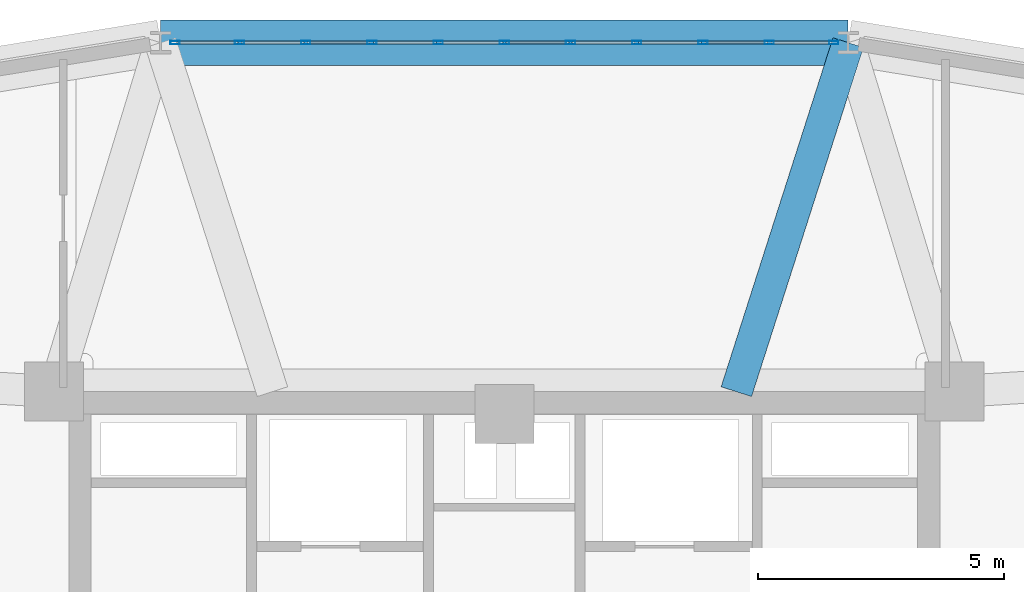
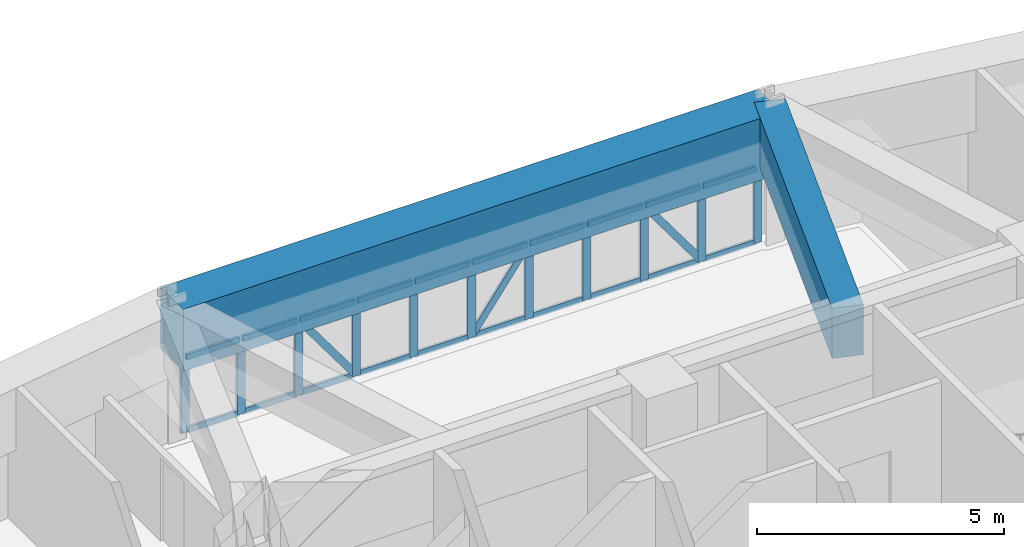
# One storey, part 8 of 15: 34 members, 2 beams, 1 element without a shape of its own.
"""IFC4 building model written with IfcOpenShell, lengths in metres."""

import ifcopenshell
import ifcopenshell.guid

model = None  # the IFC model being written
_history = None  # IfcOwnerHistory: only IFC2X3 demands one
_inside = {}  # id of a spatial element -> (the spatial element, [elements in it])
_under = {}  # id of a project, library or spatial element -> (it, [spatial elements below it])
_declared = {}  # id of a project -> (the project, [libraries it declares])
_typed = {}  # id of a type object -> (the type object, [elements of that type])
_made_of = {}  # id of a material, layer set ... -> (it, [elements and type objects made of it])


def new_model(schema):
    """Start an empty IFC model of exactly this schema.

    Asked for "IFC4X3", IfcOpenShell would pick the latest addendum, in which some entities
    have other attributes; the version numbers below select the first issue.
    IFC2X3 requires an IfcOwnerHistory on every rooted entity: one is made here for all.
    """
    global model, _history
    if schema == "IFC4X3":
        model = ifcopenshell.file(schema_version=(4, 3, 0, 0))
    else:
        model = ifcopenshell.file(schema=schema)
    _inside.clear()
    _under.clear()
    _declared.clear()
    _typed.clear()
    _made_of.clear()
    _history = None
    if model.schema == "IFC2X3":
        org = make("IfcOrganization", Name="unknown")
        user = make(
            "IfcPersonAndOrganization",
            ThePerson=make("IfcPerson", FamilyName="unknown"),
            TheOrganization=org,
        )
        app = make(
            "IfcApplication",
            ApplicationDeveloper=org,
            Version="unknown",
            ApplicationFullName="unknown",
            ApplicationIdentifier="unknown",
        )
        _history = make(
            "IfcOwnerHistory",
            OwningUser=user,
            OwningApplication=app,
            ChangeAction="ADDED",
            CreationDate=0,
        )
    return model


def make(cls, **values):
    """One entity of the class cls with the attributes given. An attribute that is None is left unset."""
    return model.create_entity(
        cls, **{name: value for name, value in values.items() if value is not None}
    )


def rooted(cls, **values):
    """An entity with a GlobalId (a new one), such as an element, a storey or a relation."""
    return make(cls, GlobalId=ifcopenshell.guid.new(), OwnerHistory=_history, **values)


def si_unit(unit_type, name, prefix=None):
    """IfcSIUnit, for example si_unit("LENGTHUNIT", "METRE", prefix="MILLI")."""
    return make("IfcSIUnit", UnitType=unit_type, Prefix=prefix, Name=name)


def derived_unit(unit_type, elements):
    """IfcDerivedUnit: a product of units, each with its exponent."""
    return make(
        "IfcDerivedUnit",
        Elements=[
            make("IfcDerivedUnitElement", Unit=unit, Exponent=power)
            for unit, power in elements
        ],
        UnitType=unit_type,
    )


def assignment(units):
    """IfcUnitAssignment: the units of a project."""
    return None if units is None else make("IfcUnitAssignment", Units=units)


def point(xyz):
    """IfcCartesianPoint."""
    return None if xyz is None else make("IfcCartesianPoint", Coordinates=xyz)


def direction(xyz):
    """IfcDirection."""
    return None if xyz is None else make("IfcDirection", DirectionRatios=xyz)


def frame(location, z_axis=None, x_axis=None):
    """IfcAxis2Placement3D, a coordinate frame: its origin and axes. An axis left out is left unset."""
    return make(
        "IfcAxis2Placement3D",
        Location=point(location),
        Axis=direction(z_axis),
        RefDirection=direction(x_axis),
    )


def frame_2d(location, x_axis=None):
    """IfcAxis2Placement2D, a coordinate frame in the plane: its origin and x axis."""
    return make(
        "IfcAxis2Placement2D", Location=point(location), RefDirection=direction(x_axis)
    )


def origin():
    """The frame at (0, 0, 0) with its axes left unset."""
    return frame((0.0, 0.0, 0.0))


def origin_2d():
    """The frame at (0, 0) in the plane with its x axis left unset."""
    return frame_2d((0.0, 0.0))


def place(relative_to, where):
    """IfcLocalPlacement: puts the frame where relative to a parent placement (None: the world)."""
    return make(
        "IfcLocalPlacement", PlacementRelTo=relative_to, RelativePlacement=where
    )


def context(
    kind, dimensions, precision=None, world=None, true_north=None, identifier=None
):
    """IfcGeometricRepresentationContext, for example the 3D "Model" context."""
    return make(
        "IfcGeometricRepresentationContext",
        ContextIdentifier=identifier,
        ContextType=kind,
        CoordinateSpaceDimension=dimensions,
        Precision=precision,
        WorldCoordinateSystem=world,
        TrueNorth=true_north,
    )


def subcontext(parent, identifier, kind, view, scale=None):
    """IfcGeometricRepresentationSubContext, for example "Body" below "Model"."""
    return make(
        "IfcGeometricRepresentationSubContext",
        ContextIdentifier=identifier,
        ContextType=kind,
        ParentContext=parent,
        TargetScale=scale,
        TargetView=view,
    )


def project(units=None, contexts=None):
    """IfcProject with its units and contexts."""
    return rooted(
        "IfcProject",
        Name="project",
        RepresentationContexts=contexts,
        UnitsInContext=assignment(units),
    )


def spatial(cls, under=None, at=None, **own):
    """A site, building, storey or space (cls), placed at a placement, below another one or the project."""
    s = rooted(cls, ObjectPlacement=at, **own)
    if under is not None:
        _under.setdefault(under.id(), (under, []))[1].append(s)
    return s


def profile(cls, at=None, kind="AREA", **sizes):
    """A parametric profile (cls). Its sizes go by their IFC names, for example OverallWidth=200.0."""
    return make(cls, ProfileType=kind, Position=at, **sizes)


def rectangle(**sizes):
    """IfcRectangleProfileDef."""
    return profile("IfcRectangleProfileDef", **sizes)


def hollow_rectangle(**sizes):
    """IfcRectangleHollowProfileDef."""
    return profile("IfcRectangleHollowProfileDef", **sizes)


def extrude(swept, where, along, depth):
    """IfcExtrudedAreaSolid: the profile swept, set in the frame where, extruded along a direction by depth."""
    return make(
        "IfcExtrudedAreaSolid",
        SweptArea=swept,
        Position=where,
        ExtrudedDirection=direction(along),
        Depth=depth,
    )


def shape(context_of_items, identifier, shape_type, items):
    """IfcShapeRepresentation: the items that make up one representation, for example the "Body"."""
    return make(
        "IfcShapeRepresentation",
        ContextOfItems=context_of_items,
        RepresentationIdentifier=identifier,
        RepresentationType=shape_type,
        Items=items,
    )


def source(mapping_origin, context_of_items, identifier, shape_type, items):
    """IfcRepresentationMap: a shape defined once, which mapped items show again and again."""
    return make(
        "IfcRepresentationMap",
        MappingOrigin=mapping_origin,
        MappedRepresentation=shape(context_of_items, identifier, shape_type, items),
    )


def transform(
    local_origin,
    x_axis=None,
    y_axis=None,
    z_axis=None,
    scale=None,
    scale2=None,
    scale3=None,
    uniform=True,
):
    """IfcCartesianTransformationOperator3D, or its non-uniform kind. x_axis, y_axis, z_axis: its Axis1, 2, 3."""
    if uniform:
        return make(
            "IfcCartesianTransformationOperator3D",
            Axis1=direction(x_axis),
            Axis2=direction(y_axis),
            LocalOrigin=point(local_origin),
            Scale=scale,
            Axis3=direction(z_axis),
        )
    return make(
        "IfcCartesianTransformationOperator3DnonUniform",
        Axis1=direction(x_axis),
        Axis2=direction(y_axis),
        LocalOrigin=point(local_origin),
        Scale=scale,
        Axis3=direction(z_axis),
        Scale2=scale2,
        Scale3=scale3,
    )


def mapped(mapping_source, mapping_target):
    """IfcMappedItem: shows the shape of a source again, moved by a transform."""
    return make(
        "IfcMappedItem", MappingSource=mapping_source, MappingTarget=mapping_target
    )


def material(Name=None, Category=None):
    """IfcMaterial."""
    return make("IfcMaterial", Name=Name, Category=Category)


def layer(
    of_material, thickness, ventilated=None, Name=None, Category=None, Priority=None
):
    """IfcMaterialLayer: one layer of a wall or slab, of a material (None: an air gap)."""
    return make(
        "IfcMaterialLayer",
        Material=of_material,
        LayerThickness=thickness,
        IsVentilated=ventilated,
        Name=Name,
        Category=Category,
        Priority=Priority,
    )


def layer_set(layers, Name=None):
    """IfcMaterialLayerSet."""
    return make("IfcMaterialLayerSet", MaterialLayers=layers, LayerSetName=Name)


def material_profile(
    of_material, cross_section, Name=None, Category=None, Priority=None
):
    """IfcMaterialProfile: a cross section and its material."""
    return make(
        "IfcMaterialProfile",
        Name=Name,
        Material=of_material,
        Profile=cross_section,
        Priority=Priority,
        Category=Category,
    )


def profile_set(profiles, Name=None, composite=None):
    """IfcMaterialProfileSet."""
    return make(
        "IfcMaterialProfileSet",
        Name=Name,
        MaterialProfiles=profiles,
        CompositeProfile=composite,
    )


def made_of(thing, what):
    """Note that an element or type object is made of a material, layer set ...; save() writes the relation."""
    if what is not None:
        _made_of.setdefault(what.id(), (what, []))[1].append(thing)
    return thing


def type_object(cls, material=None, **own):
    """A type object (cls), such as IfcWallType, which elements share."""
    return made_of(rooted(cls, **own), material)


def element(
    cls,
    number,
    at=None,
    inside=None,
    cuts=None,
    type_object=None,
    material=None,
    context=None,
    identifier="Body",
    shape_type=None,
    held_by="IfcProductDefinitionShape",
    body=None,
    shapes=None,
    **own,
):
    """One element of the class cls, such as IfcWall. Its Tag is "e" and its number.

    at: its placement. inside: the storey or other place that contains it. cuts: it is an
    opening in that element (IfcRelVoidsElement). A single representation is given by context,
    identifier, shape_type and body (its items); several are given by shapes. held_by: the class
    of the entity that holds the representations. save() writes the other relations.
    """
    e = rooted(cls, Tag="e%d" % number, ObjectPlacement=at, **own)
    if body is not None:
        shapes = [shape(context, identifier, shape_type, body)]
    if shapes is not None:
        e.Representation = make(held_by, Representations=shapes)
    if inside is not None:
        _inside.setdefault(inside.id(), (inside, []))[1].append(e)
    if cuts is not None:
        rooted(
            "IfcRelVoidsElement", RelatingBuildingElement=cuts, RelatedOpeningElement=e
        )
    if type_object is not None:
        _typed.setdefault(type_object.id(), (type_object, []))[1].append(e)
    return made_of(e, material)


def aggregate(whole, parts):
    """IfcRelAggregates: a whole, such as a stair, and the parts it consists of."""
    return rooted("IfcRelAggregates", RelatingObject=whole, RelatedObjects=parts)


def save(model, path):
    """Write the relations noted so far, then the file.

    IfcRelAggregates (storeys below a building ...), IfcRelContainedInSpatialStructure (elements
    in a storey), IfcRelDefinesByType, IfcRelAssociatesMaterial and IfcRelDeclares: one each for
    every whole, place, type object, material and project.
    """
    for whole, parts in _under.values():
        aggregate(whole, parts)
    for where, things in _inside.values():
        rooted(
            "IfcRelContainedInSpatialStructure",
            RelatedElements=things,
            RelatingStructure=where,
        )
    for kind, things in _typed.values():
        rooted("IfcRelDefinesByType", RelatedObjects=things, RelatingType=kind)
    for what, things in _made_of.values():
        rooted("IfcRelAssociatesMaterial", RelatedObjects=things, RelatingMaterial=what)
    for by, libraries in _declared.values():
        rooted("IfcRelDeclares", RelatingContext=by, RelatedDefinitions=libraries)
    model.write(path)


model = new_model("IFC4")

# Units and contexts
model_context = context("Model", 3, precision=1e-05, world=origin(), true_north=direction((0.0, 1.0)))
body_context = subcontext(model_context, "Body", "Model", "MODEL_VIEW")
ifc_project = project(units=[si_unit("LENGTHUNIT", "METRE"), si_unit("AREAUNIT", "SQUARE_METRE"), si_unit("VOLUMEUNIT", "CUBIC_METRE"), si_unit("PLANEANGLEUNIT", "RADIAN"), si_unit("MASSUNIT", "GRAM", prefix="KILO"), derived_unit("THERMALTRANSMITTANCEUNIT", [(si_unit("POWERUNIT", "WATT"), 1), (si_unit("LENGTHUNIT", "METRE"), -2), (si_unit("THERMODYNAMICTEMPERATUREUNIT", "KELVIN"), -1)])], contexts=[model_context])

# Site, building, storey
site_placement = place(None, origin())
site = spatial("IfcSite", under=ifc_project, at=site_placement, CompositionType="ELEMENT")
building_placement = place(site_placement, origin())
building = spatial("IfcBuilding", under=site, at=building_placement, Name="Korsvarv Bourse and Concert Hall", CompositionType="ELEMENT")
storey_placement = place(building_placement, frame((0.0, 0.0, 117.0)))
storey = spatial("IfcBuildingStorey", under=building, at=storey_placement, Name="L29", CompositionType="ELEMENT", Elevation=117.0)

# Beams
ifc_material_1 = material(Name="Concrete C50/60", Category="concrete")
ifc_material_profile_1 = material_profile(ifc_material_1, rectangle(XDim=0.919921875, YDim=1.530029296875, at=origin_2d()), Name="RC-BM 920x1530")
ifc_profile_set_1 = profile_set([ifc_material_profile_1], Name="Concrete C50/60")
beam_type_1 = type_object("IfcBeamType", Name="BM-TR-154", PredefinedType="BEAM", material=ifc_profile_set_1)
shared_shape_1 = source(origin(), body_context, "Body", "SweptSolid", [
    extrude(rectangle(XDim=0.919921875, YDim=1.530029296875, at=origin_2d()), origin(), (0.0, 0.0, 1.0), 13.97607421875),
])
beam_1_placement = place(storey_placement, frame((42.988037109375, 54.344482421875, 2.635009765625), z_axis=(-1.0, 0.0, 0.0), x_axis=(0.0, -1.0, 0.0)))
element("IfcBeam", 1, at=beam_1_placement, inside=storey, type_object=beam_type_1, Name="L29 beam B-TR6", PredefinedType="BEAM", context=body_context, shape_type="MappedRepresentation", body=[
    mapped(shared_shape_1, transform((0.0, 0.0, 0.0), scale=1.0)),
])
ifc_material_profile_2 = material_profile(ifc_material_1, rectangle(XDim=0.64990234375, YDim=1.239990234375, at=origin_2d()), Name="RC-BM 650x1240")
ifc_profile_set_2 = profile_set([ifc_material_profile_2], Name="Concrete C50/60")
beam_type_2 = type_object("IfcBeamType", Name="BM-TR-SPN", PredefinedType="BEAM", material=ifc_profile_set_2)
shared_shape_2 = source(origin(), body_context, "Body", "SweptSolid", [
    extrude(rectangle(XDim=0.64990234375, YDim=1.239990234375, at=origin_2d()), origin(), (0.0, 0.0, 1.0), 7.449951171875),
])
beam_2_placement = place(storey_placement, frame((42.988037109375, 54.344482421875, 2.780029296875), z_axis=(-0.30516572203, -0.952299260788, 0.0), x_axis=(0.952299260788, -0.30516572203, 0.0)))
element("IfcBeam", 2, at=beam_2_placement, inside=storey, type_object=beam_type_2, Name="L29 beam B-TRS", PredefinedType="BEAM", context=body_context, shape_type="MappedRepresentation", body=[
    mapped(shared_shape_2, transform((0.0, 0.0, 0.0), scale=1.0)),
])

# Curtain wall, members
ifc_material_2 = material(Name="Anodised aluminium and triple low-E glazing", Category="glass")
ifc_layer = layer(ifc_material_2, 0.2099609375)
ifc_layer_set = layer_set([ifc_layer], Name="Anodised aluminium and triple low-E glazing")
curtain_wall_type = type_object("IfcCurtainWallType", Name="CW-SYS-2", PredefinedType="NOTDEFINED", material=ifc_layer_set)
curtain_wall_placement = place(storey_placement, origin())
curtain_wall = element("IfcCurtainWall", 3, at=curtain_wall_placement, inside=storey, type_object=curtain_wall_type, Name="L29 CW2 curtain wall CW-L29-F03", PredefinedType="NOTDEFINED")
ifc_material_3 = material(Name="Extruded aluminium EN AW-6063 T66", Category="aluminium")
ifc_material_profile_3 = material_profile(ifc_material_3, hollow_rectangle(XDim=0.070068359375, YDim=0.18994140625, WallThickness=0.0048828125, at=origin_2d()), Name="ALU-M 70x190")
ifc_profile_set_3 = profile_set([ifc_material_profile_3], Name="Extruded aluminium EN AW-6063 T66")
member_type_1 = type_object("IfcMemberType", Name="CWM-190", PredefinedType="MULLION", material=ifc_profile_set_3)
shared_shape_3 = source(origin(), body_context, "Body", "SweptSolid", [
    extrude(hollow_rectangle(XDim=0.070068359375, YDim=0.18994140625, WallThickness=0.0048828125, at=origin_2d()), origin(), (0.0, 0.0, 1.0), 1.8701171875),
])
member_1_placement = place(storey_placement, frame((42.694091796875, 54.344482421875, 0.0), z_axis=(0.0, 0.0, 1.0), x_axis=(0.0, -1.0, 0.0)))
member_1 = element("IfcMember", 4, at=member_1_placement, type_object=member_type_1, Name="CW2 mullion 1", PredefinedType="MULLION", context=body_context, shape_type="MappedRepresentation", body=[
    mapped(shared_shape_3, transform((0.0, 0.0, 0.0), scale=1.0)),
])
member_2_placement = place(storey_placement, frame((41.38330078125, 54.344482421875, 0.0), z_axis=(0.0, 0.0, 1.0), x_axis=(0.0, -1.0, 0.0)))
member_2 = element("IfcMember", 5, at=member_2_placement, type_object=member_type_1, Name="CW2 mullion 2", PredefinedType="MULLION", context=body_context, shape_type="MappedRepresentation", body=[
    mapped(shared_shape_3, transform((0.0, 0.0, 0.0), scale=1.0)),
])
member_3_placement = place(storey_placement, frame((40.037353515625, 54.344482421875, 0.0), z_axis=(0.0, 0.0, 1.0), x_axis=(0.0, -1.0, 0.0)))
member_3 = element("IfcMember", 6, at=member_3_placement, type_object=member_type_1, Name="CW2 mullion 3", PredefinedType="MULLION", context=body_context, shape_type="MappedRepresentation", body=[
    mapped(shared_shape_3, transform((0.0, 0.0, 0.0), scale=1.0)),
])
member_4_placement = place(storey_placement, frame((38.691650390625, 54.344482421875, 0.0), z_axis=(0.0, 0.0, 1.0), x_axis=(0.0, -1.0, 0.0)))
member_4 = element("IfcMember", 7, at=member_4_placement, type_object=member_type_1, Name="CW2 mullion 4", PredefinedType="MULLION", context=body_context, shape_type="MappedRepresentation", body=[
    mapped(shared_shape_3, transform((0.0, 0.0, 0.0), scale=1.0)),
])
member_5_placement = place(storey_placement, frame((37.345703125, 54.344482421875, 0.0), z_axis=(0.0, 0.0, 1.0), x_axis=(0.0, -1.0, 0.0)))
member_5 = element("IfcMember", 8, at=member_5_placement, type_object=member_type_1, Name="CW2 mullion 5", PredefinedType="MULLION", context=body_context, shape_type="MappedRepresentation", body=[
    mapped(shared_shape_3, transform((0.0, 0.0, 0.0), scale=1.0)),
])
member_6_placement = place(storey_placement, frame((36.0, 54.344482421875, 0.0), z_axis=(0.0, 0.0, 1.0), x_axis=(0.0, -1.0, 0.0)))
member_6 = element("IfcMember", 9, at=member_6_placement, type_object=member_type_1, Name="CW2 mullion 6", PredefinedType="MULLION", context=body_context, shape_type="MappedRepresentation", body=[
    mapped(shared_shape_3, transform((0.0, 0.0, 0.0), scale=1.0)),
])
member_7_placement = place(storey_placement, frame((34.654296875, 54.344482421875, 0.0), z_axis=(0.0, 0.0, 1.0), x_axis=(0.0, -1.0, 0.0)))
member_7 = element("IfcMember", 10, at=member_7_placement, type_object=member_type_1, Name="CW2 mullion 7", PredefinedType="MULLION", context=body_context, shape_type="MappedRepresentation", body=[
    mapped(shared_shape_3, transform((0.0, 0.0, 0.0), scale=1.0)),
])
member_8_placement = place(storey_placement, frame((33.308349609375, 54.344482421875, 0.0), z_axis=(0.0, 0.0, 1.0), x_axis=(0.0, -1.0, 0.0)))
member_8 = element("IfcMember", 11, at=member_8_placement, type_object=member_type_1, Name="CW2 mullion 8", PredefinedType="MULLION", context=body_context, shape_type="MappedRepresentation", body=[
    mapped(shared_shape_3, transform((0.0, 0.0, 0.0), scale=1.0)),
])
member_9_placement = place(storey_placement, frame((31.962646484375, 54.344482421875, 0.0), z_axis=(0.0, 0.0, 1.0), x_axis=(0.0, -1.0, 0.0)))
member_9 = element("IfcMember", 12, at=member_9_placement, type_object=member_type_1, Name="CW2 mullion 9", PredefinedType="MULLION", context=body_context, shape_type="MappedRepresentation", body=[
    mapped(shared_shape_3, transform((0.0, 0.0, 0.0), scale=1.0)),
])
member_10_placement = place(storey_placement, frame((30.61669921875, 54.344482421875, 0.0), z_axis=(0.0, 0.0, 1.0), x_axis=(0.0, -1.0, 0.0)))
member_10 = element("IfcMember", 13, at=member_10_placement, type_object=member_type_1, Name="CW2 mullion 10", PredefinedType="MULLION", context=body_context, shape_type="MappedRepresentation", body=[
    mapped(shared_shape_3, transform((0.0, 0.0, 0.0), scale=1.0)),
])
member_11_placement = place(storey_placement, frame((29.305908203125, 54.344482421875, 0.0), z_axis=(0.0, 0.0, 1.0), x_axis=(0.0, -1.0, 0.0)))
member_11 = element("IfcMember", 14, at=member_11_placement, type_object=member_type_1, Name="CW2 mullion 11", PredefinedType="MULLION", context=body_context, shape_type="MappedRepresentation", body=[
    mapped(shared_shape_3, transform((0.0, 0.0, 0.0), scale=1.0)),
])
ifc_material_profile_4 = material_profile(ifc_material_3, hollow_rectangle(XDim=0.06494140625, YDim=0.139892578125, WallThickness=0.00390625, at=origin_2d()), Name="ALU-T 65x140")
ifc_profile_set_4 = profile_set([ifc_material_profile_4], Name="Extruded aluminium EN AW-6063 T66")
member_type_2 = type_object("IfcMemberType", Name="CWT-140", PredefinedType="USERDEFINED", material=ifc_profile_set_4)
shared_shape_4 = source(origin(), body_context, "Body", "SweptSolid", [
    extrude(hollow_rectangle(XDim=0.06494140625, YDim=0.139892578125, WallThickness=0.00390625, at=origin_2d()), origin(), (0.0, 0.0, 1.0), 1.24072265625),
])
member_12_placement = place(storey_placement, frame((42.658935546875, 54.344482421875, 0.032470703125), z_axis=(-1.0, 0.0, 0.0), x_axis=(0.0, -1.0, 0.0)))
member_12 = element("IfcMember", 15, at=member_12_placement, type_object=member_type_2, Name="CW2 transom 1.1", ObjectType="TRANSOM", PredefinedType="USERDEFINED", context=body_context, shape_type="MappedRepresentation", body=[
    mapped(shared_shape_4, transform((0.0, 0.0, 0.0), scale=1.0)),
])
member_13_placement = place(storey_placement, frame((42.658935546875, 54.344482421875, 1.83740234375), z_axis=(-1.0, 0.0, 0.0), x_axis=(0.0, -1.0, 0.0)))
member_13 = element("IfcMember", 16, at=member_13_placement, type_object=member_type_2, Name="CW2 transom 1.2", ObjectType="TRANSOM", PredefinedType="USERDEFINED", context=body_context, shape_type="MappedRepresentation", body=[
    mapped(shared_shape_4, transform((0.0, 0.0, 0.0), scale=1.0)),
])
member_14_placement = place(storey_placement, frame((30.581787109375, 54.344482421875, 0.032470703125), z_axis=(-1.0, 0.0, 0.0), x_axis=(0.0, -1.0, 0.0)))
member_14 = element("IfcMember", 17, at=member_14_placement, type_object=member_type_2, Name="CW2 transom 10.1", ObjectType="TRANSOM", PredefinedType="USERDEFINED", context=body_context, shape_type="MappedRepresentation", body=[
    mapped(shared_shape_4, transform((0.0, 0.0, 0.0), scale=1.0)),
])
member_15_placement = place(storey_placement, frame((30.581787109375, 54.344482421875, 1.83740234375), z_axis=(-1.0, 0.0, 0.0), x_axis=(0.0, -1.0, 0.0)))
member_15 = element("IfcMember", 18, at=member_15_placement, type_object=member_type_2, Name="CW2 transom 10.2", ObjectType="TRANSOM", PredefinedType="USERDEFINED", context=body_context, shape_type="MappedRepresentation", body=[
    mapped(shared_shape_4, transform((0.0, 0.0, 0.0), scale=1.0)),
])
shared_shape_5 = source(origin(), body_context, "Body", "SweptSolid", [
    extrude(hollow_rectangle(XDim=0.06494140625, YDim=0.139892578125, WallThickness=0.00390625, at=origin_2d()), origin(), (0.0, 0.0, 1.0), 1.275634765625),
])
member_16_placement = place(storey_placement, frame((41.34814453125, 54.344482421875, 0.032470703125), z_axis=(-1.0, 0.0, 0.0), x_axis=(0.0, -1.0, 0.0)))
member_16 = element("IfcMember", 19, at=member_16_placement, type_object=member_type_2, Name="CW2 transom 2.1", ObjectType="TRANSOM", PredefinedType="USERDEFINED", context=body_context, shape_type="MappedRepresentation", body=[
    mapped(shared_shape_5, transform((0.0, 0.0, 0.0), scale=1.0)),
])
member_17_placement = place(storey_placement, frame((41.34814453125, 54.344482421875, 1.83740234375), z_axis=(-1.0, 0.0, 0.0), x_axis=(0.0, -1.0, 0.0)))
member_17 = element("IfcMember", 20, at=member_17_placement, type_object=member_type_2, Name="CW2 transom 2.2", ObjectType="TRANSOM", PredefinedType="USERDEFINED", context=body_context, shape_type="MappedRepresentation", body=[
    mapped(shared_shape_5, transform((0.0, 0.0, 0.0), scale=1.0)),
])
member_18_placement = place(storey_placement, frame((38.656494140625, 54.344482421875, 0.032470703125), z_axis=(-1.0, 0.0, 0.0), x_axis=(0.0, -1.0, 0.0)))
member_18 = element("IfcMember", 21, at=member_18_placement, type_object=member_type_2, Name="CW2 transom 4.1", ObjectType="TRANSOM", PredefinedType="USERDEFINED", context=body_context, shape_type="MappedRepresentation", body=[
    mapped(shared_shape_5, transform((0.0, 0.0, 0.0), scale=1.0)),
])
member_19_placement = place(storey_placement, frame((38.656494140625, 54.344482421875, 1.83740234375), z_axis=(-1.0, 0.0, 0.0), x_axis=(0.0, -1.0, 0.0)))
member_19 = element("IfcMember", 22, at=member_19_placement, type_object=member_type_2, Name="CW2 transom 4.2", ObjectType="TRANSOM", PredefinedType="USERDEFINED", context=body_context, shape_type="MappedRepresentation", body=[
    mapped(shared_shape_5, transform((0.0, 0.0, 0.0), scale=1.0)),
])
member_20_placement = place(storey_placement, frame((34.619140625, 54.344482421875, 0.032470703125), z_axis=(-1.0, 0.0, 0.0), x_axis=(0.0, -1.0, 0.0)))
member_20 = element("IfcMember", 23, at=member_20_placement, type_object=member_type_2, Name="CW2 transom 7.1", ObjectType="TRANSOM", PredefinedType="USERDEFINED", context=body_context, shape_type="MappedRepresentation", body=[
    mapped(shared_shape_5, transform((0.0, 0.0, 0.0), scale=1.0)),
])
member_21_placement = place(storey_placement, frame((34.619140625, 54.344482421875, 1.83740234375), z_axis=(-1.0, 0.0, 0.0), x_axis=(0.0, -1.0, 0.0)))
member_21 = element("IfcMember", 24, at=member_21_placement, type_object=member_type_2, Name="CW2 transom 7.2", ObjectType="TRANSOM", PredefinedType="USERDEFINED", context=body_context, shape_type="MappedRepresentation", body=[
    mapped(shared_shape_5, transform((0.0, 0.0, 0.0), scale=1.0)),
])
member_22_placement = place(storey_placement, frame((31.927490234375, 54.344482421875, 0.032470703125), z_axis=(-1.0, 0.0, 0.0), x_axis=(0.0, -1.0, 0.0)))
member_22 = element("IfcMember", 25, at=member_22_placement, type_object=member_type_2, Name="CW2 transom 9.1", ObjectType="TRANSOM", PredefinedType="USERDEFINED", context=body_context, shape_type="MappedRepresentation", body=[
    mapped(shared_shape_5, transform((0.0, 0.0, 0.0), scale=1.0)),
])
member_23_placement = place(storey_placement, frame((31.927490234375, 54.344482421875, 1.83740234375), z_axis=(-1.0, 0.0, 0.0), x_axis=(0.0, -1.0, 0.0)))
member_23 = element("IfcMember", 26, at=member_23_placement, type_object=member_type_2, Name="CW2 transom 9.2", ObjectType="TRANSOM", PredefinedType="USERDEFINED", context=body_context, shape_type="MappedRepresentation", body=[
    mapped(shared_shape_5, transform((0.0, 0.0, 0.0), scale=1.0)),
])
ifc_material_profile_5 = material_profile(ifc_material_3, hollow_rectangle(XDim=0.06494140625, YDim=0.1650390625, WallThickness=0.0048828125, at=origin_2d()), Name="ALU-M 65x165")
ifc_profile_set_5 = profile_set([ifc_material_profile_5], Name="Extruded aluminium EN AW-6063 T66")
member_type_3 = type_object("IfcMemberType", Name="CWM-165", PredefinedType="MULLION", material=ifc_profile_set_5)
shared_shape_6 = source(origin(), body_context, "Body", "SweptSolid", [
    extrude(hollow_rectangle(XDim=0.06494140625, YDim=0.1650390625, WallThickness=0.0048828125, at=origin_2d()), origin(), (0.0, 0.0, 1.0), 2.157470703125),
])
member_24_placement = place(storey_placement, frame((41.34814453125, 54.344482421875, 0.06494140625), z_axis=(-0.591255732125, 0.0, 0.806484134518), x_axis=(0.0, -1.0, 0.0)))
member_24 = element("IfcMember", 27, at=member_24_placement, type_object=member_type_3, Name="CW2 diagonal mullion 2", PredefinedType="MULLION", context=body_context, shape_type="MappedRepresentation", body=[
    mapped(shared_shape_6, transform((0.0, 0.0, 0.0), scale=1.0)),
])
shared_shape_7 = source(origin(), body_context, "Body", "SweptSolid", [
    extrude(hollow_rectangle(XDim=0.06494140625, YDim=0.139892578125, WallThickness=0.00390625, at=origin_2d()), origin(), (0.0, 0.0, 1.0), 1.27587890625),
])
member_25_placement = place(storey_placement, frame((40.00244140625, 54.344482421875, 0.032470703125), z_axis=(-1.0, 0.0, 0.0), x_axis=(0.0, -1.0, 0.0)))
member_25 = element("IfcMember", 28, at=member_25_placement, type_object=member_type_2, Name="CW2 transom 3.1", ObjectType="TRANSOM", PredefinedType="USERDEFINED", context=body_context, shape_type="MappedRepresentation", body=[
    mapped(shared_shape_7, transform((0.0, 0.0, 0.0), scale=1.0)),
])
member_26_placement = place(storey_placement, frame((40.00244140625, 54.344482421875, 1.83740234375), z_axis=(-1.0, 0.0, 0.0), x_axis=(0.0, -1.0, 0.0)))
member_26 = element("IfcMember", 29, at=member_26_placement, type_object=member_type_2, Name="CW2 transom 3.2", ObjectType="TRANSOM", PredefinedType="USERDEFINED", context=body_context, shape_type="MappedRepresentation", body=[
    mapped(shared_shape_7, transform((0.0, 0.0, 0.0), scale=1.0)),
])
member_27_placement = place(storey_placement, frame((37.310791015625, 54.344482421875, 0.032470703125), z_axis=(-1.0, 0.0, 0.0), x_axis=(0.0, -1.0, 0.0)))
member_27 = element("IfcMember", 30, at=member_27_placement, type_object=member_type_2, Name="CW2 transom 5.1", ObjectType="TRANSOM", PredefinedType="USERDEFINED", context=body_context, shape_type="MappedRepresentation", body=[
    mapped(shared_shape_7, transform((0.0, 0.0, 0.0), scale=1.0)),
])
member_28_placement = place(storey_placement, frame((37.310791015625, 54.344482421875, 1.83740234375), z_axis=(-1.0, 0.0, 0.0), x_axis=(0.0, -1.0, 0.0)))
member_28 = element("IfcMember", 31, at=member_28_placement, type_object=member_type_2, Name="CW2 transom 5.2", ObjectType="TRANSOM", PredefinedType="USERDEFINED", context=body_context, shape_type="MappedRepresentation", body=[
    mapped(shared_shape_7, transform((0.0, 0.0, 0.0), scale=1.0)),
])
member_29_placement = place(storey_placement, frame((35.965087890625, 54.344482421875, 0.032470703125), z_axis=(-1.0, 0.0, 0.0), x_axis=(0.0, -1.0, 0.0)))
member_29 = element("IfcMember", 32, at=member_29_placement, type_object=member_type_2, Name="CW2 transom 6.1", ObjectType="TRANSOM", PredefinedType="USERDEFINED", context=body_context, shape_type="MappedRepresentation", body=[
    mapped(shared_shape_7, transform((0.0, 0.0, 0.0), scale=1.0)),
])
member_30_placement = place(storey_placement, frame((35.965087890625, 54.344482421875, 1.83740234375), z_axis=(-1.0, 0.0, 0.0), x_axis=(0.0, -1.0, 0.0)))
member_30 = element("IfcMember", 33, at=member_30_placement, type_object=member_type_2, Name="CW2 transom 6.2", ObjectType="TRANSOM", PredefinedType="USERDEFINED", context=body_context, shape_type="MappedRepresentation", body=[
    mapped(shared_shape_7, transform((0.0, 0.0, 0.0), scale=1.0)),
])
member_31_placement = place(storey_placement, frame((33.2734375, 54.344482421875, 0.032470703125), z_axis=(-1.0, 0.0, 0.0), x_axis=(0.0, -1.0, 0.0)))
member_31 = element("IfcMember", 34, at=member_31_placement, type_object=member_type_2, Name="CW2 transom 8.1", ObjectType="TRANSOM", PredefinedType="USERDEFINED", context=body_context, shape_type="MappedRepresentation", body=[
    mapped(shared_shape_7, transform((0.0, 0.0, 0.0), scale=1.0)),
])
member_32_placement = place(storey_placement, frame((33.2734375, 54.344482421875, 1.83740234375), z_axis=(-1.0, 0.0, 0.0), x_axis=(0.0, -1.0, 0.0)))
member_32 = element("IfcMember", 35, at=member_32_placement, type_object=member_type_2, Name="CW2 transom 8.2", ObjectType="TRANSOM", PredefinedType="USERDEFINED", context=body_context, shape_type="MappedRepresentation", body=[
    mapped(shared_shape_7, transform((0.0, 0.0, 0.0), scale=1.0)),
])
shared_shape_8 = source(origin(), body_context, "Body", "SweptSolid", [
    extrude(hollow_rectangle(XDim=0.06494140625, YDim=0.1650390625, WallThickness=0.0048828125, at=origin_2d()), origin(), (0.0, 0.0, 1.0), 2.15771484375),
])
member_33_placement = place(storey_placement, frame((36.034912109375, 54.344482421875, 0.06494140625), z_axis=(0.591329325232, 0.0, 0.806430176221), x_axis=(0.0, 1.0, 0.0)))
member_33 = element("IfcMember", 36, at=member_33_placement, type_object=member_type_3, Name="CW2 diagonal mullion 5", PredefinedType="MULLION", context=body_context, shape_type="MappedRepresentation", body=[
    mapped(shared_shape_8, transform((0.0, 0.0, 0.0), scale=1.0)),
])
member_34_placement = place(storey_placement, frame((33.2734375, 54.344482421875, 0.06494140625), z_axis=(-0.591329325232, 0.0, 0.806430176221), x_axis=(0.0, -1.0, 0.0)))
member_34 = element("IfcMember", 37, at=member_34_placement, type_object=member_type_3, Name="CW2 diagonal mullion 8", PredefinedType="MULLION", context=body_context, shape_type="MappedRepresentation", body=[
    mapped(shared_shape_8, transform((0.0, 0.0, 0.0), scale=1.0)),
])
aggregate(curtain_wall, [member_1, member_2, member_3, member_4, member_5, member_6, member_7, member_8, member_9, member_10, member_11, member_12, member_13, member_16, member_17, member_24, member_25, member_26, member_18, member_19, member_27, member_28, member_33, member_29, member_30, member_20, member_21, member_31, member_32, member_34, member_22, member_23, member_14, member_15])

save(model, "model.ifc")
